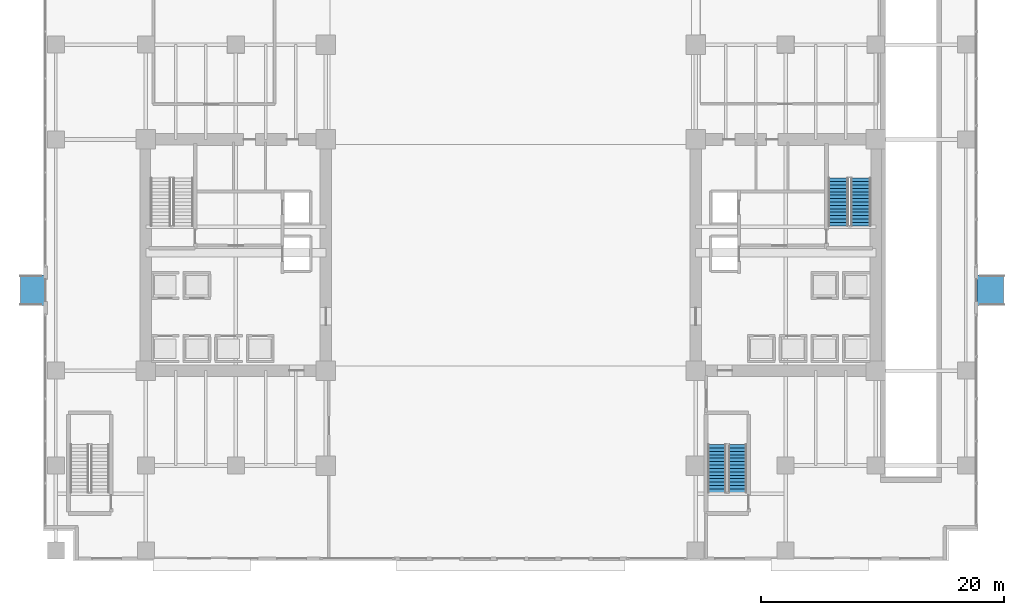
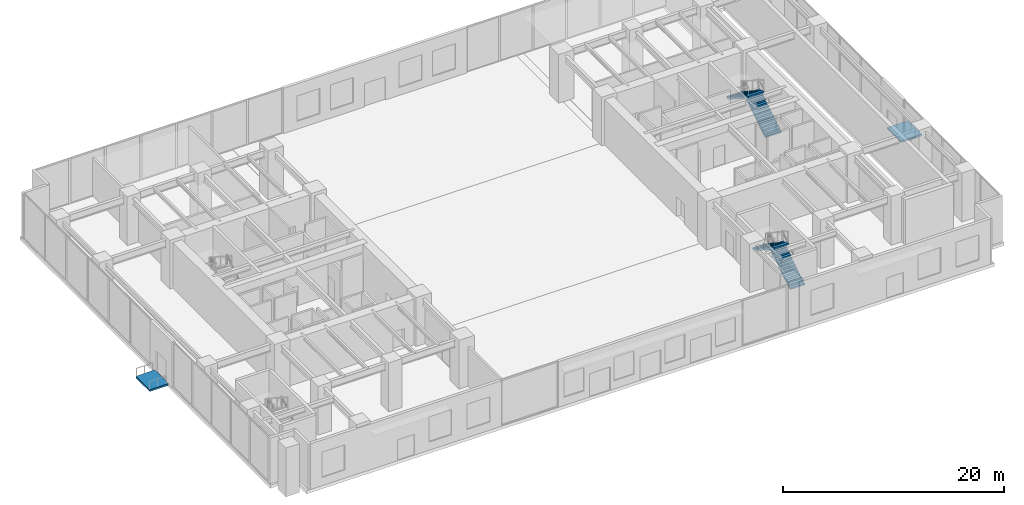
# One storey, part 23 of 28: 4 stair flights, 2 ramp flights, 4 elements without a shape of their own.
"""IFC4 building model written with IfcOpenShell, lengths in metres."""

from ifc_helpers import new_model, si_unit, direction, frame, origin, place, context, subcontext, project, spatial, polyline, outline, extrude, source, transform, mapped, material, layer, layer_set, type_object, type_shapes, element, aggregate, save


model = new_model("IFC4")

# Units and contexts
model_context = context("Model", 3, precision=1e-05, world=origin(), true_north=direction((0.0, 1.0)))
body_context = subcontext(model_context, "Body", "Model", "MODEL_VIEW")
ifc_project = project(units=[si_unit("LENGTHUNIT", "METRE"), si_unit("AREAUNIT", "SQUARE_METRE"), si_unit("VOLUMEUNIT", "CUBIC_METRE"), si_unit("PLANEANGLEUNIT", "RADIAN"), si_unit("MASSUNIT", "GRAM", prefix="KILO")], contexts=[model_context])

# Site, building, storey
site_placement = place(None, origin())
site = spatial("IfcSite", under=ifc_project, at=site_placement, CompositionType="ELEMENT")
building_placement = place(site_placement, origin())
building = spatial("IfcBuilding", under=site, at=building_placement, Name="Haelvirn Gate Laboratories", CompositionType="ELEMENT")
storey_placement = place(building_placement, origin())
storey = spatial("IfcBuildingStorey", under=building, at=storey_placement, Name="L01", CompositionType="ELEMENT", Elevation=0.0)

# Stair, stair flights
ifc_material = material(Name="Concrete C40/50", Category="concrete")
stair_type_1 = type_object("IfcStairType", Name="ST-DOG-1650-R30", PredefinedType="HALF_TURN_STAIR", material=ifc_material)
stair_1_placement = place(storey_placement, origin())
stair_1 = element("IfcStair", 1, at=stair_1_placement, inside=storey, type_object=stair_type_1, Name="L01 Escape Stair ST2", PredefinedType="HALF_TURN_STAIR")
stair_flight_type_1 = type_object("IfcStairFlightType", Name="STF-1650-R15", PredefinedType="STRAIGHT", material=ifc_material)
shared_shape_1 = source(origin(), body_context, "Body", "SweptSolid", [
    extrude(outline(polyline([(0.0, 0.0), (0.0, 0.179931640625), (0.280029296875, 0.179931640625), (0.280029296875, 0.360107421875), (0.56005859375, 0.360107421875), (0.56005859375, 0.5400390625), (0.840087890625, 0.5400390625), (0.840087890625, 0.719970703125), (1.1201171875, 0.719970703125), (1.1201171875, 0.89990234375), (1.39990234375, 0.89990234375), (1.39990234375, 1.080078125), (1.679931640625, 1.080078125), (1.679931640625, 1.260009765625), (1.9599609375, 1.260009765625), (1.9599609375, 1.43994140625), (2.239990234375, 1.43994140625), (2.239990234375, 1.6201171875), (2.52001953125, 1.6201171875), (2.52001953125, 1.800048828125), (2.800048828125, 1.800048828125), (2.800048828125, 1.97998046875), (3.080078125, 1.97998046875), (3.080078125, 2.159912109375), (3.360107421875, 2.159912109375), (3.360107421875, 2.340087890625), (3.639892578125, 2.340087890625), (3.639892578125, 2.52001953125), (3.919921875, 2.52001953125), (3.919921875, 2.699951171875), (3.919921875, 2.329833984375), (0.295654296875, 0.0), (0.0, 0.0)])), frame((0.0, 0.824951171875, 0.0), z_axis=(0.0, -1.0, 0.0), x_axis=(1.0, 0.0, 0.0)), (0.0, 0.0, 1.0), 1.64990234375),
])
type_shapes(stair_flight_type_1, [shared_shape_1])
stair_flight_1_placement = place(storey_placement, frame((66.175048828125, 26.699951171875, 0.0), z_axis=(0.0, 0.0, 1.0), x_axis=(0.0, 1.0, 0.0)))
stair_flight_1 = element("IfcStairFlight", 2, at=stair_flight_1_placement, type_object=stair_flight_type_1, Name="ST2 flight 1", NumberOfRisers=15, NumberOfTreads=14, PredefinedType="STRAIGHT", RiserHeight=0.18, TreadLength=0.28, context=body_context, shape_type="MappedRepresentation", body=[
    mapped(shared_shape_1, transform((0.0, 0.0, 0.0), scale=1.0)),
])
stair_flight_2_placement = place(storey_placement, frame((64.324951171875, 30.6201171875, 2.699951171875), z_axis=(0.0, 0.0, 1.0), x_axis=(0.0, -1.0, 0.0)))
stair_flight_2 = element("IfcStairFlight", 3, at=stair_flight_2_placement, type_object=stair_flight_type_1, Name="ST2 flight 2", NumberOfRisers=15, NumberOfTreads=14, PredefinedType="STRAIGHT", RiserHeight=0.18, TreadLength=0.28, context=body_context, shape_type="MappedRepresentation", body=[
    mapped(shared_shape_1, transform((0.0, 0.0, 0.0), scale=1.0)),
])
aggregate(stair_1, [stair_flight_1, stair_flight_2])

stair_type_2 = type_object("IfcStairType", Name="ST-DOG-1500-R30", PredefinedType="HALF_TURN_STAIR", material=ifc_material)
stair_2_placement = place(storey_placement, origin())
stair_2 = element("IfcStair", 4, at=stair_2_placement, inside=storey, type_object=stair_type_2, Name="L01 Escape Stair ST4", PredefinedType="HALF_TURN_STAIR")
stair_flight_type_2 = type_object("IfcStairFlightType", Name="STF-1500-R15", PredefinedType="STRAIGHT", material=ifc_material)
shared_shape_2 = source(origin(), body_context, "Body", "SweptSolid", [
    extrude(outline(polyline([(0.0, 0.0), (0.0, 0.179931640625), (0.280029296875, 0.179931640625), (0.280029296875, 0.360107421875), (0.56005859375, 0.360107421875), (0.56005859375, 0.5400390625), (0.840087890625, 0.5400390625), (0.840087890625, 0.719970703125), (1.1201171875, 0.719970703125), (1.1201171875, 0.89990234375), (1.39990234375, 0.89990234375), (1.39990234375, 1.080078125), (1.679931640625, 1.080078125), (1.679931640625, 1.260009765625), (1.9599609375, 1.260009765625), (1.9599609375, 1.43994140625), (2.239990234375, 1.43994140625), (2.239990234375, 1.6201171875), (2.52001953125, 1.6201171875), (2.52001953125, 1.800048828125), (2.800048828125, 1.800048828125), (2.800048828125, 1.97998046875), (3.080078125, 1.97998046875), (3.080078125, 2.159912109375), (3.360107421875, 2.159912109375), (3.360107421875, 2.340087890625), (3.639892578125, 2.340087890625), (3.639892578125, 2.52001953125), (3.919921875, 2.52001953125), (3.919921875, 2.699951171875), (3.919921875, 2.329833984375), (0.295654296875, 0.0), (0.0, 0.0)])), frame((0.0, 0.75, 0.0), z_axis=(0.0, -1.0, 0.0), x_axis=(1.0, 0.0, 0.0)), (0.0, 0.0, 1.0), 1.5),
])
type_shapes(stair_flight_type_2, [shared_shape_2])
stair_flight_3_placement = place(storey_placement, frame((56.050048828125, 4.800048828125, 0.0), z_axis=(0.0, 0.0, 1.0), x_axis=(0.0, 1.0, 0.0)))
stair_flight_3 = element("IfcStairFlight", 5, at=stair_flight_3_placement, type_object=stair_flight_type_2, Name="ST4 flight 1", NumberOfRisers=15, NumberOfTreads=14, PredefinedType="STRAIGHT", RiserHeight=0.18, TreadLength=0.28, context=body_context, shape_type="MappedRepresentation", body=[
    mapped(shared_shape_2, transform((0.0, 0.0, 0.0), scale=1.0)),
])
stair_flight_4_placement = place(storey_placement, frame((54.35009765625, 8.719970703125, 2.699951171875), z_axis=(0.0, 0.0, 1.0), x_axis=(0.0, -1.0, 0.0)))
stair_flight_4 = element("IfcStairFlight", 6, at=stair_flight_4_placement, type_object=stair_flight_type_2, Name="ST4 flight 2", NumberOfRisers=15, NumberOfTreads=14, PredefinedType="STRAIGHT", RiserHeight=0.18, TreadLength=0.28, context=body_context, shape_type="MappedRepresentation", body=[
    mapped(shared_shape_2, transform((0.0, 0.0, 0.0), scale=1.0)),
])
aggregate(stair_2, [stair_flight_3, stair_flight_4])

# Ramp, ramp flight
ramp_type = type_object("IfcRampType", Name="RAMP-ACC-T1", PredefinedType="STRAIGHT_RUN_RAMP", material=ifc_material)
ramp_1_placement = place(storey_placement, origin())
ramp_1 = element("IfcRamp", 7, at=ramp_1_placement, inside=storey, type_object=ramp_type, Name="L01 W Accessible Concourse Plinth Ramp", PredefinedType="STRAIGHT_RUN_RAMP")
ifc_layer = layer(ifc_material, 0.199951171875, Name="RAMPFLT-ACC-T1")
ifc_layer_set = layer_set([ifc_layer], Name="Concrete C40/50")
ramp_flight_type = type_object("IfcRampFlightType", Name="RAMPFLT-ACC-T1", PredefinedType="STRAIGHT", material=ifc_layer_set)
ramp_flight_1_placement = place(storey_placement, frame((-2.919921875, 20.14990234375, -0.02001953125), z_axis=(-0.010009264196, 0.0, 0.99994990606), x_axis=(0.99994990606, 0.0, 0.010009264196)))
ramp_flight_1 = element("IfcRampFlight", 8, at=ramp_flight_1_placement, type_object=ramp_flight_type, Name="L01 W Accessible Plinth Ramp Flight", PredefinedType="STRAIGHT", context=body_context, shape_type="SweptSolid", body=[
    extrude(outline(polyline([(0.0, 0.0), (2.0, 0.0), (2.0, 2.5), (0.0, 2.5), (0.0, 0.0)])), origin(), (0.0, 0.0, -1.0), 0.199951171875),
])
aggregate(ramp_1, [ramp_flight_1])

ramp_2_placement = place(storey_placement, origin())
ramp_2 = element("IfcRamp", 9, at=ramp_2_placement, inside=storey, type_object=ramp_type, Name="L01 E Accessible Concourse Plinth Ramp", PredefinedType="STRAIGHT_RUN_RAMP")
ramp_flight_2_placement = place(storey_placement, frame((75.719970703125, 20.14990234375, 0.0), z_axis=(0.009099612142, 0.0, 0.999958597672), x_axis=(0.999958597672, 0.0, -0.009099612142)))
ramp_flight_2 = element("IfcRampFlight", 10, at=ramp_flight_2_placement, type_object=ramp_flight_type, Name="L01 E Accessible Plinth Ramp Flight", PredefinedType="STRAIGHT", context=body_context, shape_type="SweptSolid", body=[
    extrude(outline(polyline([(0.0, 0.0), (2.199951171875, 0.0), (2.199951171875, 2.5), (0.0, 2.5), (0.0, 0.0)])), origin(), (0.0, 0.0, -1.0), 0.199951171875),
])
aggregate(ramp_2, [ramp_flight_2])

save(model, "model.ifc")
